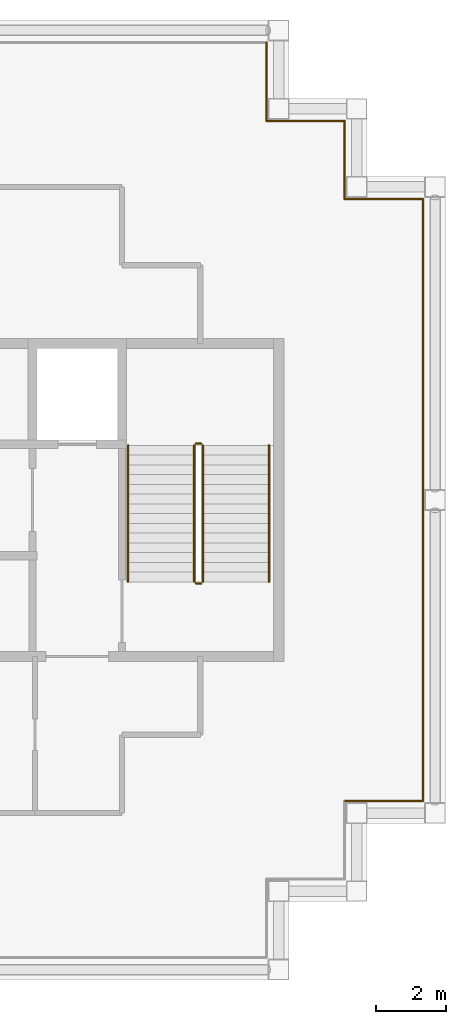
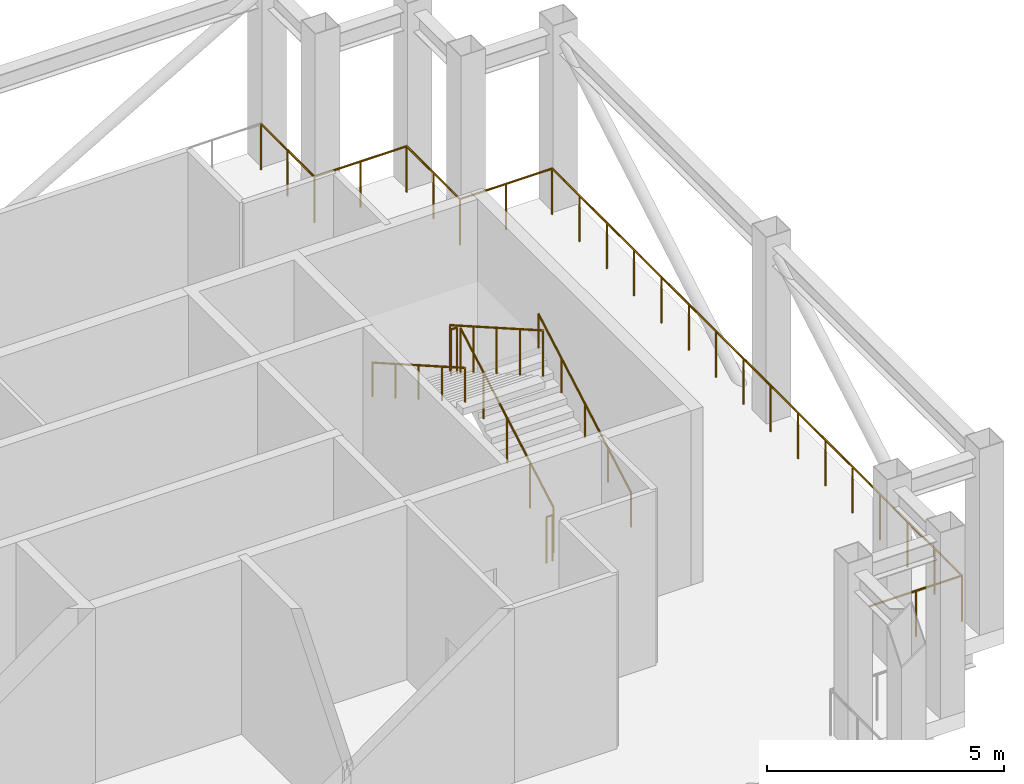
# One storey, part 9 of 9: 12 railings.
"""IFC4 building model written with IfcOpenShell, lengths in metres."""

from ifc_helpers import new_model, si_unit, direction, frame, origin, origin_2d, place, context, subcontext, project, spatial, circle, extrude, material, type_object, element, save


model = new_model("IFC4")

# Units and contexts
model_context = context("Model", 3, precision=1e-05, world=origin(), true_north=direction((0.0, 1.0)))
body_context = subcontext(model_context, "Body", "Model", "MODEL_VIEW")
ifc_project = project(units=[si_unit("LENGTHUNIT", "METRE"), si_unit("AREAUNIT", "SQUARE_METRE"), si_unit("VOLUMEUNIT", "CUBIC_METRE"), si_unit("PLANEANGLEUNIT", "RADIAN"), si_unit("MASSUNIT", "GRAM", prefix="KILO")], contexts=[model_context])

# Site, building, storey
site_placement = place(None, origin())
site = spatial("IfcSite", under=ifc_project, at=site_placement, CompositionType="ELEMENT")
building_placement = place(site_placement, origin())
building = spatial("IfcBuilding", under=site, at=building_placement, Name="Caravel Reach Hotel and Residences", CompositionType="ELEMENT")
storey_placement = place(building_placement, frame((0.0, 0.0, 278.60009765625)))
storey = spatial("IfcBuildingStorey", under=building, at=storey_placement, Name="L71", CompositionType="ELEMENT", Elevation=278.60009765625)

# Railings
ifc_material_1 = material(Name="Stainless steel S30408", Category="steel")
railing_type_1 = type_object("IfcRailingType", Name="G1 Guard 1200 stainless", PredefinedType="GUARDRAIL", material=ifc_material_1)
railing_1_placement = place(storey_placement, frame((46.89990234375, 18.35009765625, 0.0)))
element("IfcRailing", 1, at=railing_1_placement, inside=storey, type_object=railing_type_1, Name="Guard L71 1 run 10", PredefinedType="GUARDRAIL", context=body_context, shape_type="SweptSolid", body=[
    extrude(circle(Radius=0.02392578125, at=origin_2d()), frame((0.0, 0.0, 1.17578125), z_axis=(1.0, 0.0, 0.0), x_axis=(0.0, 1.0, 0.0)), (0.0, 0.0, 1.0), 2.25),
    extrude(circle(Radius=0.02099609375, at=origin_2d()), frame((1.125, 0.0, 0.0)), (0.0, 0.0, 1.0), 1.15185546875),
    extrude(circle(Radius=0.02099609375, at=origin_2d()), frame((2.25, 0.0, 0.0)), (0.0, 0.0, 1.0), 1.15185546875),
])
railing_2_placement = place(storey_placement, frame((49.14990234375, 18.35009765625, 0.0)))
element("IfcRailing", 2, at=railing_2_placement, inside=storey, type_object=railing_type_1, Name="Guard L71 1 run 11", PredefinedType="GUARDRAIL", context=body_context, shape_type="SweptSolid", body=[
    extrude(circle(Radius=0.02392578125, at=origin_2d()), frame((0.0, 0.0, 1.17578125), z_axis=(0.0, 1.0, 0.0), x_axis=(-1.0, 0.0, 0.0)), (0.0, 0.0, 1.0), 17.2998046875),
    extrude(circle(Radius=0.02099609375, at=origin_2d()), frame((0.0, 1.1533203125, 0.0)), (0.0, 0.0, 1.0), 1.15185546875),
    extrude(circle(Radius=0.02099609375, at=origin_2d()), frame((0.0, 2.306640625, 0.0)), (0.0, 0.0, 1.0), 1.15185546875),
    extrude(circle(Radius=0.02099609375, at=origin_2d()), frame((0.0, 3.4599609375, 0.0)), (0.0, 0.0, 1.0), 1.15185546875),
    extrude(circle(Radius=0.02099609375, at=origin_2d()), frame((0.0, 4.61328125, 0.0)), (0.0, 0.0, 1.0), 1.15185546875),
    extrude(circle(Radius=0.02099609375, at=origin_2d()), frame((0.0, 5.7666015625, 0.0)), (0.0, 0.0, 1.0), 1.15185546875),
    extrude(circle(Radius=0.02099609375, at=origin_2d()), frame((0.0, 6.919921875, 0.0)), (0.0, 0.0, 1.0), 1.15185546875),
    extrude(circle(Radius=0.02099609375, at=origin_2d()), frame((0.0, 8.0732421875, 0.0)), (0.0, 0.0, 1.0), 1.15185546875),
    extrude(circle(Radius=0.02099609375, at=origin_2d()), frame((0.0, 9.2265625, 0.0)), (0.0, 0.0, 1.0), 1.15185546875),
    extrude(circle(Radius=0.02099609375, at=origin_2d()), frame((0.0, 10.3798828125, 0.0)), (0.0, 0.0, 1.0), 1.15185546875),
    extrude(circle(Radius=0.02099609375, at=origin_2d()), frame((0.0, 11.533203125, 0.0)), (0.0, 0.0, 1.0), 1.15185546875),
    extrude(circle(Radius=0.02099609375, at=origin_2d()), frame((0.0, 12.6865234375, 0.0)), (0.0, 0.0, 1.0), 1.15185546875),
    extrude(circle(Radius=0.02099609375, at=origin_2d()), frame((0.0, 13.83984375, 0.0)), (0.0, 0.0, 1.0), 1.15185546875),
    extrude(circle(Radius=0.02099609375, at=origin_2d()), frame((0.0, 14.9931640625, 0.0)), (0.0, 0.0, 1.0), 1.15185546875),
    extrude(circle(Radius=0.02099609375, at=origin_2d()), frame((0.0, 16.146484375, 0.0)), (0.0, 0.0, 1.0), 1.15185546875),
    extrude(circle(Radius=0.02099609375, at=origin_2d()), frame((0.0, 17.2998046875, 0.0)), (0.0, 0.0, 1.0), 1.15185546875),
])
railing_3_placement = place(storey_placement, frame((49.14990234375, 35.64990234375, 0.0)))
element("IfcRailing", 3, at=railing_3_placement, inside=storey, type_object=railing_type_1, Name="Guard L71 1 run 12", PredefinedType="GUARDRAIL", context=body_context, shape_type="SweptSolid", body=[
    extrude(circle(Radius=0.02392578125, at=origin_2d()), frame((0.0, 0.0, 1.17578125), z_axis=(-1.0, 0.0, 0.0), x_axis=(0.0, -1.0, 0.0)), (0.0, 0.0, 1.0), 2.25),
    extrude(circle(Radius=0.02099609375, at=origin_2d()), frame((-1.125, 0.0, 0.0)), (0.0, 0.0, 1.0), 1.15185546875),
    extrude(circle(Radius=0.02099609375, at=origin_2d()), frame((-2.25, 0.0, 0.0)), (0.0, 0.0, 1.0), 1.15185546875),
])
railing_4_placement = place(storey_placement, frame((46.89990234375, 35.64990234375, 0.0)))
element("IfcRailing", 4, at=railing_4_placement, inside=storey, type_object=railing_type_1, Name="Guard L71 1 run 13", PredefinedType="GUARDRAIL", context=body_context, shape_type="SweptSolid", body=[
    extrude(circle(Radius=0.02392578125, at=origin_2d()), frame((0.0, 0.0, 1.17578125), z_axis=(0.0, 1.0, 0.0), x_axis=(-1.0, 0.0, 0.0)), (0.0, 0.0, 1.0), 2.25),
    extrude(circle(Radius=0.02099609375, at=origin_2d()), frame((0.0, 1.125, 0.0)), (0.0, 0.0, 1.0), 1.15185546875),
    extrude(circle(Radius=0.02099609375, at=origin_2d()), frame((0.0, 2.25, 0.0)), (0.0, 0.0, 1.0), 1.15185546875),
])
railing_5_placement = place(storey_placement, frame((46.89990234375, 37.89990234375, 0.0)))
element("IfcRailing", 5, at=railing_5_placement, inside=storey, type_object=railing_type_1, Name="Guard L71 1 run 14", PredefinedType="GUARDRAIL", context=body_context, shape_type="SweptSolid", body=[
    extrude(circle(Radius=0.02392578125, at=origin_2d()), frame((0.0, 0.0, 1.17578125), z_axis=(-1.0, 0.0, 0.0), x_axis=(0.0, -1.0, 0.0)), (0.0, 0.0, 1.0), 2.25),
    extrude(circle(Radius=0.02099609375, at=origin_2d()), frame((-1.125, 0.0, 0.0)), (0.0, 0.0, 1.0), 1.15185546875),
    extrude(circle(Radius=0.02099609375, at=origin_2d()), frame((-2.25, 0.0, 0.0)), (0.0, 0.0, 1.0), 1.15185546875),
])
railing_6_placement = place(storey_placement, frame((44.64990234375, 37.89990234375, 0.0)))
element("IfcRailing", 6, at=railing_6_placement, inside=storey, type_object=railing_type_1, Name="Guard L71 1 run 15", PredefinedType="GUARDRAIL", context=body_context, shape_type="SweptSolid", body=[
    extrude(circle(Radius=0.02392578125, at=origin_2d()), frame((0.0, 0.0, 1.17578125), z_axis=(0.0, 1.0, 0.0), x_axis=(-1.0, 0.0, 0.0)), (0.0, 0.0, 1.0), 2.25),
    extrude(circle(Radius=0.02099609375, at=origin_2d()), frame((0.0, 1.125, 0.0)), (0.0, 0.0, 1.0), 1.15185546875),
    extrude(circle(Radius=0.02099609375, at=origin_2d()), frame((0.0, 2.25, 0.0)), (0.0, 0.0, 1.0), 1.15185546875),
])
ifc_material_2 = material(Name="Steel balustrade with glass infill", Category="steel")
railing_type_2 = type_object("IfcRailingType", Name="Guard 1200", PredefinedType="GUARDRAIL", material=ifc_material_2)
railing_7_placement = place(storey_placement, frame((42.824951171875, 24.64990234375, 0.159912109375)))
element("IfcRailing", 7, at=railing_7_placement, inside=storey, type_object=railing_type_2, Name="L71 ST-B stair guard 1", PredefinedType="GUARDRAIL", context=body_context, shape_type="SweptSolid", body=[
    extrude(circle(Radius=0.02392578125, at=origin_2d()), frame((0.0, 0.0, 1.17578125), z_axis=(0.0, 0.86825312469, 0.496121468458), x_axis=(-1.0, 0.0, 0.0)), (0.0, 0.0, 1.0), 4.514892578125),
    extrude(circle(Radius=0.02099609375, at=origin_2d()), origin(), (0.0, 0.0, 1.0), 1.15185546875),
    extrude(circle(Radius=0.02099609375, at=origin_2d()), frame((0.0, 0.97998046875, 0.56005859375)), (0.0, 0.0, 1.0), 1.15185546875),
    extrude(circle(Radius=0.02099609375, at=origin_2d()), frame((0.0, 1.9599609375, 1.1201171875)), (0.0, 0.0, 1.0), 1.15185546875),
    extrude(circle(Radius=0.02099609375, at=origin_2d()), frame((0.0, 2.940185546875, 1.679931640625)), (0.0, 0.0, 1.0), 1.15185546875),
    extrude(circle(Radius=0.02099609375, at=origin_2d()), frame((0.0, 3.920166015625, 2.239990234375)), (0.0, 0.0, 1.0), 1.15185546875),
])
railing_8_placement = place(storey_placement, frame((42.77490234375, 28.6201171875, 2.39990234375)))
element("IfcRailing", 8, at=railing_8_placement, inside=storey, type_object=railing_type_2, Name="L71 ST-B stair guard 2", PredefinedType="GUARDRAIL", context=body_context, shape_type="SweptSolid", body=[
    extrude(circle(Radius=0.02392578125, at=origin_2d()), frame((0.0, 0.0, 1.17578125), z_axis=(-1.0, 0.0, 0.0), x_axis=(0.0, -1.0, 0.0)), (0.0, 0.0, 1.0), 0.14990234375),
    extrude(circle(Radius=0.02099609375, at=origin_2d()), origin(), (0.0, 0.0, 1.0), 1.15185546875),
    extrude(circle(Radius=0.02099609375, at=origin_2d()), frame((-0.14990234375, 0.0, 0.0)), (0.0, 0.0, 1.0), 1.15185546875),
])
railing_9_placement = place(storey_placement, frame((42.574951171875, 28.570068359375, 2.559814453125)))
element("IfcRailing", 9, at=railing_9_placement, inside=storey, type_object=railing_type_2, Name="L71 ST-B stair guard 3", PredefinedType="GUARDRAIL", context=body_context, shape_type="SweptSolid", body=[
    extrude(circle(Radius=0.02392578125, at=origin_2d()), frame((0.0, 0.0, 1.17578125), z_axis=(0.0, -0.86825312469, 0.496121468458), x_axis=(1.0, 0.0, 0.0)), (0.0, 0.0, 1.0), 4.514892578125),
    extrude(circle(Radius=0.02099609375, at=origin_2d()), origin(), (0.0, 0.0, 1.0), 1.15185546875),
    extrude(circle(Radius=0.02099609375, at=origin_2d()), frame((0.0, -0.97998046875, 0.56005859375)), (0.0, 0.0, 1.0), 1.15185546875),
    extrude(circle(Radius=0.02099609375, at=origin_2d()), frame((0.0, -1.9599609375, 1.1201171875)), (0.0, 0.0, 1.0), 1.15185546875),
    extrude(circle(Radius=0.02099609375, at=origin_2d()), frame((0.0, -2.940185546875, 1.679931640625)), (0.0, 0.0, 1.0), 1.15185546875),
    extrude(circle(Radius=0.02099609375, at=origin_2d()), frame((0.0, -3.920166015625, 2.239990234375)), (0.0, 0.0, 1.0), 1.15185546875),
])
railing_10_placement = place(storey_placement, frame((42.77490234375, 24.60009765625, 0.0)))
element("IfcRailing", 10, at=railing_10_placement, inside=storey, type_object=railing_type_2, Name="L71 ST-B stair guard 4", PredefinedType="GUARDRAIL", context=body_context, shape_type="SweptSolid", body=[
    extrude(circle(Radius=0.02392578125, at=origin_2d()), frame((0.0, 0.0, 1.17578125), z_axis=(-1.0, 0.0, 0.0), x_axis=(0.0, -1.0, 0.0)), (0.0, 0.0, 1.0), 0.14990234375),
    extrude(circle(Radius=0.02099609375, at=origin_2d()), origin(), (0.0, 0.0, 1.0), 1.15185546875),
    extrude(circle(Radius=0.02099609375, at=origin_2d()), frame((-0.14990234375, 0.0, 0.0)), (0.0, 0.0, 1.0), 1.15185546875),
])
ifc_material_3 = material(Name="Stainless steel handrail", Category="steel")
railing_type_3 = type_object("IfcRailingType", Name="Handrail 900", PredefinedType="HANDRAIL", material=ifc_material_3)
railing_11_placement = place(storey_placement, frame((44.72509765625, 24.64990234375, 0.159912109375)))
element("IfcRailing", 11, at=railing_11_placement, inside=storey, type_object=railing_type_3, Name="L71 ST-B stair handrail 1", PredefinedType="HANDRAIL", context=body_context, shape_type="SweptSolid", body=[
    extrude(circle(Radius=0.02392578125, at=origin_2d()), frame((0.0, 0.0, 0.8759765625), z_axis=(0.0, 0.86825312469, 0.496121468458), x_axis=(-1.0, 0.0, 0.0)), (0.0, 0.0, 1.0), 4.514892578125),
    extrude(circle(Radius=0.02099609375, at=origin_2d()), origin(), (0.0, 0.0, 1.0), 0.851806640625),
    extrude(circle(Radius=0.02099609375, at=origin_2d()), frame((0.0, 0.97998046875, 0.56005859375)), (0.0, 0.0, 1.0), 0.851806640625),
    extrude(circle(Radius=0.02099609375, at=origin_2d()), frame((0.0, 1.9599609375, 1.1201171875)), (0.0, 0.0, 1.0), 0.851806640625),
    extrude(circle(Radius=0.02099609375, at=origin_2d()), frame((0.0, 2.940185546875, 1.679931640625)), (0.0, 0.0, 1.0), 0.851806640625),
    extrude(circle(Radius=0.02099609375, at=origin_2d()), frame((0.0, 3.920166015625, 2.239990234375)), (0.0, 0.0, 1.0), 0.851806640625),
])
railing_12_placement = place(storey_placement, frame((40.675048828125, 28.570068359375, 2.559814453125)))
element("IfcRailing", 12, at=railing_12_placement, inside=storey, type_object=railing_type_3, Name="L71 ST-B stair handrail 2", PredefinedType="HANDRAIL", context=body_context, shape_type="SweptSolid", body=[
    extrude(circle(Radius=0.02392578125, at=origin_2d()), frame((0.0, 0.0, 0.8759765625), z_axis=(0.0, -0.86825312469, 0.496121468458), x_axis=(1.0, 0.0, 0.0)), (0.0, 0.0, 1.0), 4.514892578125),
    extrude(circle(Radius=0.02099609375, at=origin_2d()), origin(), (0.0, 0.0, 1.0), 0.851806640625),
    extrude(circle(Radius=0.02099609375, at=origin_2d()), frame((0.0, -0.97998046875, 0.56005859375)), (0.0, 0.0, 1.0), 0.851806640625),
    extrude(circle(Radius=0.02099609375, at=origin_2d()), frame((0.0, -1.9599609375, 1.1201171875)), (0.0, 0.0, 1.0), 0.851806640625),
    extrude(circle(Radius=0.02099609375, at=origin_2d()), frame((0.0, -2.940185546875, 1.679931640625)), (0.0, 0.0, 1.0), 0.851806640625),
    extrude(circle(Radius=0.02099609375, at=origin_2d()), frame((0.0, -3.920166015625, 2.239990234375)), (0.0, 0.0, 1.0), 0.851806640625),
])

save(model, "model.ifc")
